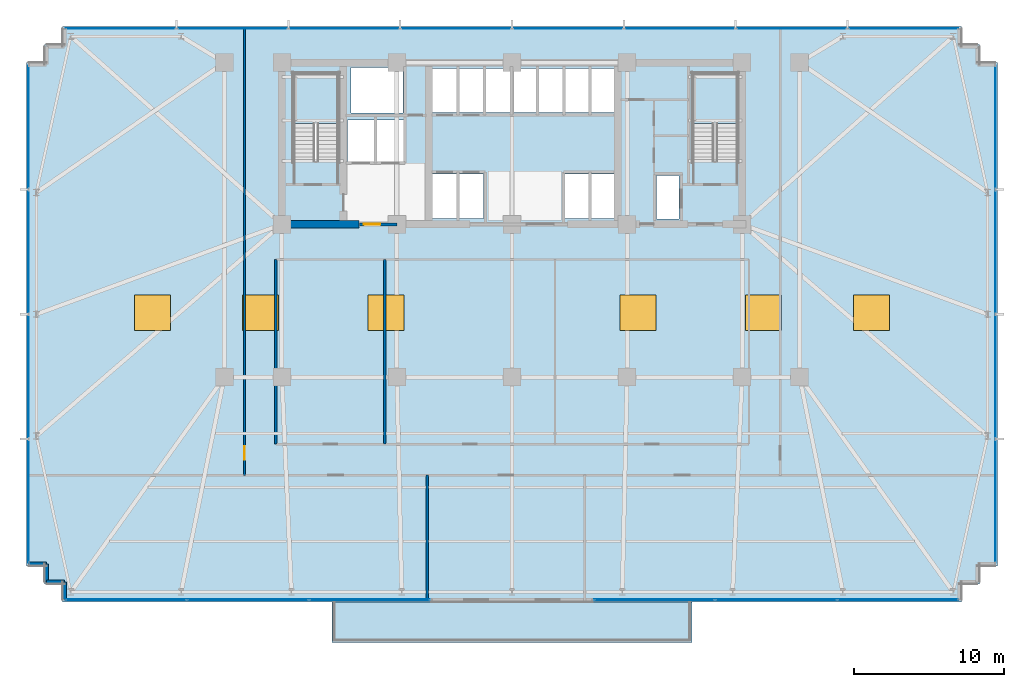
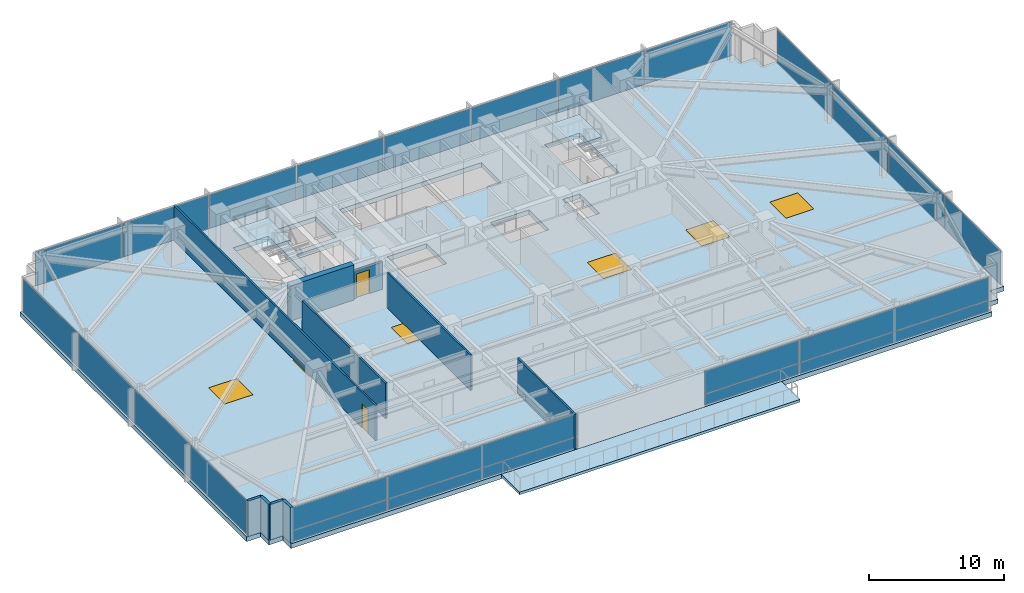
# One storey, part 23 of 31: 28 plates, 10 walls, 6 windows, 4 slabs, 2 doors, 8 openings, 7 elements without a shape of their own.
"""IFC4 building model written with IfcOpenShell, lengths in metres."""

from ifc_helpers import new_model, si_unit, direction, frame, frame_2d, origin, origin_2d, place, context, subcontext, project, spatial, polyline, rectangle, outline, extrude, material, layer, layer_set, type_object, element, fill, aggregate, save


model = new_model("IFC4")

# Units and contexts
model_context = context("Model", 3, precision=1e-05, world=origin(), true_north=direction((0.0, 1.0)))
body_context = subcontext(model_context, "Body", "Model", "MODEL_VIEW")
ifc_project = project(units=[si_unit("LENGTHUNIT", "METRE"), si_unit("AREAUNIT", "SQUARE_METRE"), si_unit("VOLUMEUNIT", "CUBIC_METRE"), si_unit("PLANEANGLEUNIT", "RADIAN"), si_unit("MASSUNIT", "GRAM", prefix="KILO")], contexts=[model_context])

# Site, building, storey
site_placement = place(None, origin())
site = spatial("IfcSite", under=ifc_project, at=site_placement, CompositionType="ELEMENT")
building_placement = place(site_placement, origin())
building = spatial("IfcBuilding", under=site, at=building_placement, Name="Yelkora Congress Tower", CompositionType="ELEMENT")
storey_placement = place(building_placement, frame((0.0, 0.0, 30.39990234375)))
storey = spatial("IfcBuildingStorey", under=building, at=storey_placement, Name="L06", CompositionType="ELEMENT", Elevation=30.39990234375)

# Curtain wall, plates
ifc_material_1 = material(Name="Anodised aluminium and insulated glass", Category="aluminium")
curtain_wall_type = type_object("IfcCurtainWallType", Name="CW-SYS-B1", PredefinedType="NOTDEFINED", material=ifc_material_1)
curtain_wall_1_placement = place(storey_placement, origin())
curtain_wall_1 = element("IfcCurtainWall", 1, at=curtain_wall_1_placement, inside=storey, type_object=curtain_wall_type, Name="L06 Unitised Curtain Wall 5", PredefinedType="NOTDEFINED")
ifc_material_2 = material(Name="Solar-control low-E glass unit B1", Category="glass")
ifc_layer_1 = layer(ifc_material_2, 0.0400390625)
ifc_layer_set_1 = layer_set([ifc_layer_1], Name="Solar-control low-E glass unit B1")
plate_type = type_object("IfcPlateType", Name="PLT-PN-B1", PredefinedType="CURTAIN_PANEL", material=ifc_layer_set_1)
plate_1_placement = place(storey_placement, frame((6.139892578125, 16.923828125, 0.06494140625), z_axis=(0.0, 0.0, 1.0), x_axis=(0.0, 1.0, 0.0)))
plate_1 = element("IfcPlate", 2, at=plate_1_placement, type_object=plate_type, Name="CW-B1 panel 1.1", PredefinedType="CURTAIN_PANEL", context=body_context, shape_type="SweptSolid", body=[
    extrude(rectangle(XDim=8.217529296875, YDim=0.0400390625, at=origin_2d()), origin(), (0.0, 0.0, 1.0), 3.050048828125),
])
plate_2_placement = place(storey_placement, frame((6.139892578125, 25.235107421875, 0.06494140625), z_axis=(0.0, 0.0, 1.0), x_axis=(0.0, 1.0, 0.0)))
plate_2 = element("IfcPlate", 3, at=plate_2_placement, type_object=plate_type, Name="CW-B1 panel 2.1", PredefinedType="CURTAIN_PANEL", context=body_context, shape_type="SweptSolid", body=[
    extrude(rectangle(XDim=8.2548828125, YDim=0.0400390625, at=origin_2d()), origin(), (0.0, 0.0, 1.0), 3.050048828125),
])
plate_3_placement = place(storey_placement, frame((6.139892578125, 33.56494140625, 0.06494140625), z_axis=(0.0, 0.0, 1.0), x_axis=(0.0, 1.0, 0.0)))
plate_3 = element("IfcPlate", 4, at=plate_3_placement, type_object=plate_type, Name="CW-B1 panel 3.1", PredefinedType="CURTAIN_PANEL", context=body_context, shape_type="SweptSolid", body=[
    extrude(rectangle(XDim=8.2548828125, YDim=0.0400390625, at=origin_2d()), origin(), (0.0, 0.0, 1.0), 3.050048828125),
])
plate_4_placement = place(storey_placement, frame((6.139892578125, 41.876220703125, 0.06494140625), z_axis=(0.0, 0.0, 1.0), x_axis=(0.0, 1.0, 0.0)))
plate_4 = element("IfcPlate", 5, at=plate_4_placement, type_object=plate_type, Name="CW-B1 panel 4.1", PredefinedType="CURTAIN_PANEL", context=body_context, shape_type="SweptSolid", body=[
    extrude(rectangle(XDim=8.217529296875, YDim=0.0400390625, at=origin_2d()), origin(), (0.0, 0.0, 1.0), 3.050048828125),
])
aggregate(curtain_wall_1, [plate_1, plate_2, plate_3, plate_4])

curtain_wall_2_placement = place(storey_placement, origin())
curtain_wall_2 = element("IfcCurtainWall", 6, at=curtain_wall_2_placement, inside=storey, type_object=curtain_wall_type, Name="L06 Unitised Curtain Wall 10", PredefinedType="NOTDEFINED")
plate_5_placement = place(storey_placement, frame((12.291259765625, 48.4599609375, 0.06494140625), z_axis=(0.0, 0.0, 1.0), x_axis=(1.0, 0.0, 0.0)))
plate_5 = element("IfcPlate", 7, at=plate_5_placement, type_object=plate_type, Name="CW-B1 panel 1.1", PredefinedType="CURTAIN_PANEL", context=body_context, shape_type="SweptSolid", body=[
    extrude(rectangle(XDim=7.3525390625, YDim=0.0400390625, at=origin_2d()), origin(), (0.0, 0.0, 1.0), 3.050048828125),
])
plate_6_placement = place(storey_placement, frame((19.737548828125, 48.4599609375, 0.06494140625), z_axis=(0.0, 0.0, 1.0), x_axis=(1.0, 0.0, 0.0)))
plate_6 = element("IfcPlate", 8, at=plate_6_placement, type_object=plate_type, Name="CW-B1 panel 2.1", PredefinedType="CURTAIN_PANEL", context=body_context, shape_type="SweptSolid", body=[
    extrude(rectangle(XDim=7.389892578125, YDim=0.0400390625, at=origin_2d()), origin(), (0.0, 0.0, 1.0), 3.050048828125),
])
plate_7_placement = place(storey_placement, frame((27.202392578125, 48.4599609375, 0.06494140625), z_axis=(0.0, 0.0, 1.0), x_axis=(1.0, 0.0, 0.0)))
plate_7 = element("IfcPlate", 9, at=plate_7_placement, type_object=plate_type, Name="CW-B1 panel 3.1", PredefinedType="CURTAIN_PANEL", context=body_context, shape_type="SweptSolid", body=[
    extrude(rectangle(XDim=7.389892578125, YDim=0.0400390625, at=origin_2d()), origin(), (0.0, 0.0, 1.0), 3.050048828125),
])
plate_8_placement = place(storey_placement, frame((34.66748046875, 48.4599609375, 0.06494140625), z_axis=(0.0, 0.0, 1.0), x_axis=(1.0, 0.0, 0.0)))
plate_8 = element("IfcPlate", 10, at=plate_8_placement, type_object=plate_type, Name="CW-B1 panel 4.1", PredefinedType="CURTAIN_PANEL", context=body_context, shape_type="SweptSolid", body=[
    extrude(rectangle(XDim=7.389892578125, YDim=0.0400390625, at=origin_2d()), origin(), (0.0, 0.0, 1.0), 3.050048828125),
])
plate_9_placement = place(storey_placement, frame((42.132568359375, 48.4599609375, 0.06494140625), z_axis=(0.0, 0.0, 1.0), x_axis=(1.0, 0.0, 0.0)))
plate_9 = element("IfcPlate", 11, at=plate_9_placement, type_object=plate_type, Name="CW-B1 panel 5.1", PredefinedType="CURTAIN_PANEL", context=body_context, shape_type="SweptSolid", body=[
    extrude(rectangle(XDim=7.389892578125, YDim=0.0400390625, at=origin_2d()), origin(), (0.0, 0.0, 1.0), 3.050048828125),
])
plate_10_placement = place(storey_placement, frame((49.597412109375, 48.4599609375, 0.06494140625), z_axis=(0.0, 0.0, 1.0), x_axis=(1.0, 0.0, 0.0)))
plate_10 = element("IfcPlate", 12, at=plate_10_placement, type_object=plate_type, Name="CW-B1 panel 6.1", PredefinedType="CURTAIN_PANEL", context=body_context, shape_type="SweptSolid", body=[
    extrude(rectangle(XDim=7.389892578125, YDim=0.0400390625, at=origin_2d()), origin(), (0.0, 0.0, 1.0), 3.050048828125),
])
plate_11_placement = place(storey_placement, frame((57.0625, 48.4599609375, 0.06494140625), z_axis=(0.0, 0.0, 1.0), x_axis=(1.0, 0.0, 0.0)))
plate_11 = element("IfcPlate", 13, at=plate_11_placement, type_object=plate_type, Name="CW-B1 panel 7.1", PredefinedType="CURTAIN_PANEL", context=body_context, shape_type="SweptSolid", body=[
    extrude(rectangle(XDim=7.389892578125, YDim=0.0400390625, at=origin_2d()), origin(), (0.0, 0.0, 1.0), 3.050048828125),
])
plate_12_placement = place(storey_placement, frame((64.5087890625, 48.4599609375, 0.06494140625), z_axis=(0.0, 0.0, 1.0), x_axis=(1.0, 0.0, 0.0)))
plate_12 = element("IfcPlate", 14, at=plate_12_placement, type_object=plate_type, Name="CW-B1 panel 8.1", PredefinedType="CURTAIN_PANEL", context=body_context, shape_type="SweptSolid", body=[
    extrude(rectangle(XDim=7.3525390625, YDim=0.0400390625, at=origin_2d()), origin(), (0.0, 0.0, 1.0), 3.050048828125),
])
aggregate(curtain_wall_2, [plate_5, plate_6, plate_7, plate_8, plate_9, plate_10, plate_11, plate_12])

curtain_wall_3_placement = place(storey_placement, origin())
curtain_wall_3 = element("IfcCurtainWall", 15, at=curtain_wall_3_placement, inside=storey, type_object=curtain_wall_type, Name="L06 Unitised Curtain Wall 15", PredefinedType="NOTDEFINED")
plate_13_placement = place(storey_placement, frame((70.659912109375, 41.876220703125, 0.06494140625), z_axis=(0.0, 0.0, 1.0), x_axis=(0.0, -1.0, 0.0)))
plate_13 = element("IfcPlate", 16, at=plate_13_placement, type_object=plate_type, Name="CW-B1 panel 1.1", PredefinedType="CURTAIN_PANEL", context=body_context, shape_type="SweptSolid", body=[
    extrude(rectangle(XDim=8.217529296875, YDim=0.0400390625, at=origin_2d()), origin(), (0.0, 0.0, 1.0), 3.050048828125),
])
plate_14_placement = place(storey_placement, frame((70.659912109375, 33.56494140625, 0.06494140625), z_axis=(0.0, 0.0, 1.0), x_axis=(0.0, -1.0, 0.0)))
plate_14 = element("IfcPlate", 17, at=plate_14_placement, type_object=plate_type, Name="CW-B1 panel 2.1", PredefinedType="CURTAIN_PANEL", context=body_context, shape_type="SweptSolid", body=[
    extrude(rectangle(XDim=8.2548828125, YDim=0.0400390625, at=origin_2d()), origin(), (0.0, 0.0, 1.0), 3.050048828125),
])
plate_15_placement = place(storey_placement, frame((70.659912109375, 25.235107421875, 0.06494140625), z_axis=(0.0, 0.0, 1.0), x_axis=(0.0, -1.0, 0.0)))
plate_15 = element("IfcPlate", 18, at=plate_15_placement, type_object=plate_type, Name="CW-B1 panel 3.1", PredefinedType="CURTAIN_PANEL", context=body_context, shape_type="SweptSolid", body=[
    extrude(rectangle(XDim=8.2548828125, YDim=0.0400390625, at=origin_2d()), origin(), (0.0, 0.0, 1.0), 3.050048828125),
])
plate_16_placement = place(storey_placement, frame((70.659912109375, 16.923828125, 0.06494140625), z_axis=(0.0, 0.0, 1.0), x_axis=(0.0, -1.0, 0.0)))
plate_16 = element("IfcPlate", 19, at=plate_16_placement, type_object=plate_type, Name="CW-B1 panel 4.1", PredefinedType="CURTAIN_PANEL", context=body_context, shape_type="SweptSolid", body=[
    extrude(rectangle(XDim=8.217529296875, YDim=0.0400390625, at=origin_2d()), origin(), (0.0, 0.0, 1.0), 3.050048828125),
])
aggregate(curtain_wall_3, [plate_13, plate_14, plate_15, plate_16])

curtain_wall_4_placement = place(storey_placement, origin())
curtain_wall_4 = element("IfcCurtainWall", 20, at=curtain_wall_4_placement, inside=storey, type_object=curtain_wall_type, Name="L06 South-West Curtain Wall", PredefinedType="NOTDEFINED")
plate_17_placement = place(storey_placement, frame((12.635498046875, 10.340087890625, 0.06494140625), z_axis=(0.0, 0.0, 1.0), x_axis=(1.0, 0.0, 0.0)))
plate_17 = element("IfcPlate", 21, at=plate_17_placement, type_object=plate_type, Name="CW-B1 panel 1.1", PredefinedType="CURTAIN_PANEL", context=body_context, shape_type="SweptSolid", body=[
    extrude(rectangle(XDim=8.040771484375, YDim=0.0400390625, at=origin_2d()), origin(), (0.0, 0.0, 1.0), 0.952392578125),
])
plate_18_placement = place(storey_placement, frame((12.635498046875, 10.340087890625, 1.08251953125), z_axis=(0.0, 0.0, 1.0), x_axis=(1.0, 0.0, 0.0)))
plate_18 = element("IfcPlate", 22, at=plate_18_placement, type_object=plate_type, Name="CW-B1 panel 1.2", PredefinedType="CURTAIN_PANEL", context=body_context, shape_type="SweptSolid", body=[
    extrude(rectangle(XDim=8.040771484375, YDim=0.0400390625, at=origin_2d()), origin(), (0.0, 0.0, 1.0), 2.032470703125),
])
plate_19_placement = place(storey_placement, frame((20.77001953125, 10.340087890625, 0.06494140625), z_axis=(0.0, 0.0, 1.0), x_axis=(1.0, 0.0, 0.0)))
plate_19 = element("IfcPlate", 23, at=plate_19_placement, type_object=plate_type, Name="CW-B1 panel 2.1", PredefinedType="CURTAIN_PANEL", context=body_context, shape_type="SweptSolid", body=[
    extrude(rectangle(XDim=8.078369140625, YDim=0.0400390625, at=origin_2d()), origin(), (0.0, 0.0, 1.0), 0.952392578125),
])
plate_20_placement = place(storey_placement, frame((20.77001953125, 10.340087890625, 1.08251953125), z_axis=(0.0, 0.0, 1.0), x_axis=(1.0, 0.0, 0.0)))
plate_20 = element("IfcPlate", 24, at=plate_20_placement, type_object=plate_type, Name="CW-B1 panel 2.2", PredefinedType="CURTAIN_PANEL", context=body_context, shape_type="SweptSolid", body=[
    extrude(rectangle(XDim=8.078369140625, YDim=0.0400390625, at=origin_2d()), origin(), (0.0, 0.0, 1.0), 2.032470703125),
])
plate_21_placement = place(storey_placement, frame((28.904541015625, 10.340087890625, 0.06494140625), z_axis=(0.0, 0.0, 1.0), x_axis=(1.0, 0.0, 0.0)))
plate_21 = element("IfcPlate", 25, at=plate_21_placement, type_object=plate_type, Name="CW-B1 panel 3.1", PredefinedType="CURTAIN_PANEL", context=body_context, shape_type="SweptSolid", body=[
    extrude(rectangle(XDim=8.040771484375, YDim=0.0400390625, at=origin_2d()), origin(), (0.0, 0.0, 1.0), 0.952392578125),
])
plate_22_placement = place(storey_placement, frame((28.904541015625, 10.340087890625, 1.08251953125), z_axis=(0.0, 0.0, 1.0), x_axis=(1.0, 0.0, 0.0)))
plate_22 = element("IfcPlate", 26, at=plate_22_placement, type_object=plate_type, Name="CW-B1 panel 3.2", PredefinedType="CURTAIN_PANEL", context=body_context, shape_type="SweptSolid", body=[
    extrude(rectangle(XDim=8.040771484375, YDim=0.0400390625, at=origin_2d()), origin(), (0.0, 0.0, 1.0), 2.032470703125),
])
aggregate(curtain_wall_4, [plate_17, plate_18, plate_19, plate_20, plate_21, plate_22])

curtain_wall_5_placement = place(storey_placement, origin())
curtain_wall_5 = element("IfcCurtainWall", 27, at=curtain_wall_5_placement, inside=storey, type_object=curtain_wall_type, Name="L06 South-East Curtain Wall", PredefinedType="NOTDEFINED")
plate_23_placement = place(storey_placement, frame((47.8955078125, 10.340087890625, 0.06494140625), z_axis=(0.0, 0.0, 1.0), x_axis=(1.0, 0.0, 0.0)))
plate_23 = element("IfcPlate", 28, at=plate_23_placement, type_object=plate_type, Name="CW-B1 panel 1.1", PredefinedType="CURTAIN_PANEL", context=body_context, shape_type="SweptSolid", body=[
    extrude(rectangle(XDim=8.040771484375, YDim=0.0400390625, at=origin_2d()), origin(), (0.0, 0.0, 1.0), 0.952392578125),
])
plate_24_placement = place(storey_placement, frame((47.8955078125, 10.340087890625, 1.08251953125), z_axis=(0.0, 0.0, 1.0), x_axis=(1.0, 0.0, 0.0)))
plate_24 = element("IfcPlate", 29, at=plate_24_placement, type_object=plate_type, Name="CW-B1 panel 1.2", PredefinedType="CURTAIN_PANEL", context=body_context, shape_type="SweptSolid", body=[
    extrude(rectangle(XDim=8.040771484375, YDim=0.0400390625, at=origin_2d()), origin(), (0.0, 0.0, 1.0), 2.032470703125),
])
plate_25_placement = place(storey_placement, frame((56.030029296875, 10.340087890625, 0.06494140625), z_axis=(0.0, 0.0, 1.0), x_axis=(1.0, 0.0, 0.0)))
plate_25 = element("IfcPlate", 30, at=plate_25_placement, type_object=plate_type, Name="CW-B1 panel 2.1", PredefinedType="CURTAIN_PANEL", context=body_context, shape_type="SweptSolid", body=[
    extrude(rectangle(XDim=8.078369140625, YDim=0.0400390625, at=origin_2d()), origin(), (0.0, 0.0, 1.0), 0.952392578125),
])
plate_26_placement = place(storey_placement, frame((56.030029296875, 10.340087890625, 1.08251953125), z_axis=(0.0, 0.0, 1.0), x_axis=(1.0, 0.0, 0.0)))
plate_26 = element("IfcPlate", 31, at=plate_26_placement, type_object=plate_type, Name="CW-B1 panel 2.2", PredefinedType="CURTAIN_PANEL", context=body_context, shape_type="SweptSolid", body=[
    extrude(rectangle(XDim=8.078369140625, YDim=0.0400390625, at=origin_2d()), origin(), (0.0, 0.0, 1.0), 2.032470703125),
])
plate_27_placement = place(storey_placement, frame((64.16455078125, 10.340087890625, 0.06494140625), z_axis=(0.0, 0.0, 1.0), x_axis=(1.0, 0.0, 0.0)))
plate_27 = element("IfcPlate", 32, at=plate_27_placement, type_object=plate_type, Name="CW-B1 panel 3.1", PredefinedType="CURTAIN_PANEL", context=body_context, shape_type="SweptSolid", body=[
    extrude(rectangle(XDim=8.040771484375, YDim=0.0400390625, at=origin_2d()), origin(), (0.0, 0.0, 1.0), 0.952392578125),
])
plate_28_placement = place(storey_placement, frame((64.16455078125, 10.340087890625, 1.08251953125), z_axis=(0.0, 0.0, 1.0), x_axis=(1.0, 0.0, 0.0)))
plate_28 = element("IfcPlate", 33, at=plate_28_placement, type_object=plate_type, Name="CW-B1 panel 3.2", PredefinedType="CURTAIN_PANEL", context=body_context, shape_type="SweptSolid", body=[
    extrude(rectangle(XDim=8.040771484375, YDim=0.0400390625, at=origin_2d()), origin(), (0.0, 0.0, 1.0), 2.032470703125),
])
aggregate(curtain_wall_5, [plate_23, plate_24, plate_25, plate_26, plate_27, plate_28])

# Stair, slab
ifc_material_3 = material(Name="Concrete C40/50", Category="concrete")
stair_type = type_object("IfcStairType", Name="STAIR-HT-1420-R20-170", PredefinedType="HALF_TURN_STAIR", material=ifc_material_3)
stair_1_placement = place(storey_placement, origin())
stair_1 = element("IfcStair", 34, at=stair_1_placement, inside=storey, type_object=stair_type, Name="West Core Protected Exit Stair ST-01 (L06)", PredefinedType="HALF_TURN_STAIR")
ifc_layer_2 = layer(ifc_material_3, 0.219970703125)
ifc_layer_set_2 = layer_set([ifc_layer_2], Name="Concrete C40/50")
slab_type_1 = type_object("IfcSlabType", Name="SLAB-LANDING-220", PredefinedType="LANDING", material=ifc_layer_set_2)
slab_1_placement = place(storey_placement, frame((0.0, 0.0, 1.47998046875)))
slab_1 = element("IfcSlab", 35, at=slab_1_placement, type_object=slab_type_1, Name="ST-01 L06 Half Landing 1", PredefinedType="LANDING", context=body_context, shape_type="SweptSolid", body=[
    extrude(outline(polyline([(26.820068359375, 42.1201171875), (26.820068359375, 45.469970703125), (23.820068359375, 45.469970703125), (23.820068359375, 42.1201171875), (26.820068359375, 42.1201171875)])), origin(), (0.0, 0.0, 1.0), 0.22021484375),
])
aggregate(stair_1, [slab_1])

stair_2_placement = place(storey_placement, origin())
stair_2 = element("IfcStair", 36, at=stair_2_placement, inside=storey, type_object=stair_type, Name="East Core Protected Exit Stair ST-02 (L06)", PredefinedType="HALF_TURN_STAIR")
slab_2_placement = place(storey_placement, frame((0.0, 0.0, 1.47998046875)))
slab_2 = element("IfcSlab", 37, at=slab_2_placement, type_object=slab_type_1, Name="ST-02 L06 Half Landing 1", PredefinedType="LANDING", context=body_context, shape_type="SweptSolid", body=[
    extrude(outline(polyline([(53.4599609375, 42.1201171875), (53.4599609375, 45.469970703125), (50.4599609375, 45.469970703125), (50.4599609375, 42.1201171875), (53.4599609375, 42.1201171875)])), origin(), (0.0, 0.0, 1.0), 0.22021484375),
])
aggregate(stair_2, [slab_2])

# Slab
ifc_layer_3 = layer(ifc_material_3, 0.239990234375)
ifc_layer_set_3 = layer_set([ifc_layer_3], Name="Concrete C40/50")
slab_type_2 = type_object("IfcSlabType", Name="SLAB-TER-240", PredefinedType="FLOOR", material=ifc_layer_set_3)
slab_3_placement = place(storey_placement, frame((0.0, 0.0, -0.239990234375)))
element("IfcSlab", 38, at=slab_3_placement, inside=storey, type_object=slab_type_2, Name="L06 Planted Sky Garden Terrace Slab", PredefinedType="FLOOR", context=body_context, shape_type="SweptSolid", body=[
    extrude(outline(polyline([(26.39990234375, 7.5), (26.39990234375, 10.199951171875), (50.39990234375, 10.199951171875), (50.39990234375, 7.5), (26.39990234375, 7.5)])), origin(), (0.0, 0.0, 1.0), 0.239990234375),
])

# Slab, openings, windows
ifc_material_4 = material(Name="Concrete C60/75", Category="concrete")
ifc_layer_4 = layer(ifc_material_4, 0.419921875)
ifc_layer_set_4 = layer_set([ifc_layer_4], Name="Concrete C60/75")
slab_type_3 = type_object("IfcSlabType", Name="SLAB-XFER-420", PredefinedType="FLOOR", material=ifc_layer_set_4)
slab_4_placement = place(storey_placement, frame((0.0, 0.0, -0.419921875)))
slab_4 = element("IfcSlab", 39, at=slab_4_placement, inside=storey, type_object=slab_type_3, Name="L06 Structural Floor Slab", PredefinedType="FLOOR", context=body_context, shape_type="SweptSolid", body=[
    extrude(outline(polyline([(8.39990234375, 10.199951171875), (68.39990234375, 10.199951171875), (68.39990234375, 11.39990234375), (69.60009765625, 11.39990234375), (69.60009765625, 12.60009765625), (70.800048828125, 12.60009765625), (70.800048828125, 46.199951171875), (69.60009765625, 46.199951171875), (69.60009765625, 47.39990234375), (68.39990234375, 47.39990234375), (68.39990234375, 48.60009765625), (8.39990234375, 48.60009765625), (8.39990234375, 47.39990234375), (7.199951171875, 47.39990234375), (7.199951171875, 46.199951171875), (6.0, 46.199951171875), (6.0, 12.60009765625), (7.199951171875, 12.60009765625), (7.199951171875, 11.39990234375), (8.39990234375, 11.39990234375), (8.39990234375, 10.199951171875)]), holes=[polyline([(23.820068359375, 39.6298828125), (26.820068359375, 39.6298828125), (26.820068359375, 45.469970703125), (23.820068359375, 45.469970703125), (23.820068359375, 39.6298828125)]), polyline([(50.4599609375, 39.6298828125), (53.4599609375, 39.6298828125), (53.4599609375, 45.469970703125), (50.4599609375, 45.469970703125), (50.4599609375, 39.6298828125)]), polyline([(48.050048828125, 35.75), (49.550048828125, 35.75), (49.550048828125, 38.64990234375), (48.050048828125, 38.64990234375), (48.050048828125, 35.75)]), polyline([(41.949951171875, 35.800048828125), (45.25, 35.800048828125), (45.25, 38.75), (41.949951171875, 38.75), (41.949951171875, 35.800048828125)]), polyline([(33.10009765625, 42.85009765625), (45.25, 42.85009765625), (45.25, 45.800048828125), (33.10009765625, 45.800048828125), (33.10009765625, 42.85009765625)]), polyline([(33.10009765625, 35.800048828125), (36.5, 35.800048828125), (36.5, 38.75), (33.10009765625, 38.75), (33.10009765625, 35.800048828125)]), polyline([(27.419921875, 39.60009765625), (31.179931640625, 39.60009765625), (31.179931640625, 42.35009765625), (27.419921875, 42.35009765625), (27.419921875, 39.60009765625)]), polyline([(27.64990234375, 42.820068359375), (31.1201171875, 42.820068359375), (31.1201171875, 45.8798828125), (27.64990234375, 45.8798828125), (27.64990234375, 42.820068359375)])]), origin(), (0.0, 0.0, 1.0), 0.419921875),
])
opening_1_placement = place(slab_4_placement, frame((14.39990234375, 29.5, 0.0)))
opening_1 = element("IfcOpeningElement", 40, at=opening_1_placement, cuts=slab_4, Name="Opening SK-24", PredefinedType="OPENING", context=body_context, shape_type="SweptSolid", body=[
    extrude(rectangle(XDim=2.39990234375, YDim=2.39990234375, at=origin_2d()), origin(), (0.0, 0.0, 1.0), 0.419921875),
])
opening_2_placement = place(slab_4_placement, frame((21.60009765625, 29.5, 0.0)))
opening_2 = element("IfcOpeningElement", 41, at=opening_2_placement, cuts=slab_4, Name="Opening SK-24", PredefinedType="OPENING", context=body_context, shape_type="SweptSolid", body=[
    extrude(rectangle(XDim=2.39990234375, YDim=2.39990234375, at=origin_2d()), origin(), (0.0, 0.0, 1.0), 0.419921875),
])
opening_3_placement = place(slab_4_placement, frame((30.0, 29.5, 0.0)))
opening_3 = element("IfcOpeningElement", 42, at=opening_3_placement, cuts=slab_4, Name="Opening SK-24", PredefinedType="OPENING", context=body_context, shape_type="SweptSolid", body=[
    extrude(rectangle(XDim=2.39990234375, YDim=2.39990234375, at=origin_2d()), origin(), (0.0, 0.0, 1.0), 0.419921875),
])
opening_4_placement = place(slab_4_placement, frame((46.800048828125, 29.5, 0.0)))
opening_4 = element("IfcOpeningElement", 43, at=opening_4_placement, cuts=slab_4, Name="Opening SK-24", PredefinedType="OPENING", context=body_context, shape_type="SweptSolid", body=[
    extrude(rectangle(XDim=2.39990234375, YDim=2.39990234375, at=origin_2d()), origin(), (0.0, 0.0, 1.0), 0.419921875),
])
opening_5_placement = place(slab_4_placement, frame((55.199951171875, 29.5, 0.0)))
opening_5 = element("IfcOpeningElement", 44, at=opening_5_placement, cuts=slab_4, Name="Opening SK-24", PredefinedType="OPENING", context=body_context, shape_type="SweptSolid", body=[
    extrude(rectangle(XDim=2.39990234375, YDim=2.39990234375, at=origin_2d()), origin(), (0.0, 0.0, 1.0), 0.419921875),
])
opening_6_placement = place(slab_4_placement, frame((62.39990234375, 29.5, 0.0)))
opening_6 = element("IfcOpeningElement", 45, at=opening_6_placement, cuts=slab_4, Name="Opening SK-24", PredefinedType="OPENING", context=body_context, shape_type="SweptSolid", body=[
    extrude(rectangle(XDim=2.39990234375, YDim=2.39990234375, at=origin_2d()), origin(), (0.0, 0.0, 1.0), 0.419921875),
])
ifc_material_5 = material(Name="Laminated safety insulated roof glazing", Category="glass")
window_type = type_object("IfcWindowType", Name="SKYLIGHT-POD-2400x2400", PartitioningType="SINGLE_PANEL", PredefinedType="SKYLIGHT", material=ifc_material_5)
window_1_placement = place(opening_1_placement, frame((0.0, 0.0, 0.369873046875)))
window_1 = element("IfcWindow", 46, at=window_1_placement, inside=storey, type_object=window_type, Name="Podium Concourse Daylight Skylight 1", OverallHeight=2.39990234375, OverallWidth=2.39990234375, PartitioningType="SINGLE_PANEL", PredefinedType="SKYLIGHT", context=body_context, shape_type="SweptSolid", body=[
    extrude(rectangle(XDim=2.39990234375, YDim=2.39990234375, at=origin_2d()), origin(), (0.0, 0.0, 1.0), 0.050048828125),
])
fill(opening_1, window_1)
window_2_placement = place(opening_2_placement, frame((0.0, 0.0, 0.369873046875)))
window_2 = element("IfcWindow", 47, at=window_2_placement, inside=storey, type_object=window_type, Name="Podium Concourse Daylight Skylight 2", OverallHeight=2.39990234375, OverallWidth=2.39990234375, PartitioningType="SINGLE_PANEL", PredefinedType="SKYLIGHT", context=body_context, shape_type="SweptSolid", body=[
    extrude(rectangle(XDim=2.39990234375, YDim=2.39990234375, at=origin_2d()), origin(), (0.0, 0.0, 1.0), 0.050048828125),
])
fill(opening_2, window_2)
window_3_placement = place(opening_3_placement, frame((0.0, 0.0, 0.369873046875)))
window_3 = element("IfcWindow", 48, at=window_3_placement, inside=storey, type_object=window_type, Name="Podium Concourse Daylight Skylight 3", OverallHeight=2.39990234375, OverallWidth=2.39990234375, PartitioningType="SINGLE_PANEL", PredefinedType="SKYLIGHT", context=body_context, shape_type="SweptSolid", body=[
    extrude(rectangle(XDim=2.39990234375, YDim=2.39990234375, at=origin_2d()), origin(), (0.0, 0.0, 1.0), 0.050048828125),
])
fill(opening_3, window_3)
window_4_placement = place(opening_4_placement, frame((0.0, 0.0, 0.369873046875)))
window_4 = element("IfcWindow", 49, at=window_4_placement, inside=storey, type_object=window_type, Name="Podium Concourse Daylight Skylight 4", OverallHeight=2.39990234375, OverallWidth=2.39990234375, PartitioningType="SINGLE_PANEL", PredefinedType="SKYLIGHT", context=body_context, shape_type="SweptSolid", body=[
    extrude(rectangle(XDim=2.39990234375, YDim=2.39990234375, at=origin_2d()), origin(), (0.0, 0.0, 1.0), 0.050048828125),
])
fill(opening_4, window_4)
window_5_placement = place(opening_5_placement, frame((0.0, 0.0, 0.369873046875)))
window_5 = element("IfcWindow", 50, at=window_5_placement, inside=storey, type_object=window_type, Name="Podium Concourse Daylight Skylight 5", OverallHeight=2.39990234375, OverallWidth=2.39990234375, PartitioningType="SINGLE_PANEL", PredefinedType="SKYLIGHT", context=body_context, shape_type="SweptSolid", body=[
    extrude(rectangle(XDim=2.39990234375, YDim=2.39990234375, at=origin_2d()), origin(), (0.0, 0.0, 1.0), 0.050048828125),
])
fill(opening_5, window_5)
window_6_placement = place(opening_6_placement, frame((0.0, 0.0, 0.369873046875)))
window_6 = element("IfcWindow", 51, at=window_6_placement, inside=storey, type_object=window_type, Name="Podium Concourse Daylight Skylight 6", OverallHeight=2.39990234375, OverallWidth=2.39990234375, PartitioningType="SINGLE_PANEL", PredefinedType="SKYLIGHT", context=body_context, shape_type="SweptSolid", body=[
    extrude(rectangle(XDim=2.39990234375, YDim=2.39990234375, at=origin_2d()), origin(), (0.0, 0.0, 1.0), 0.050048828125),
])
fill(opening_6, window_6)

# Walls
ifc_layer_5 = layer(ifc_material_4, 0.5)
ifc_layer_set_5 = layer_set([ifc_layer_5], Name="Concrete C60/75")
wall_type_1 = type_object("IfcWallType", Name="WALL-CORE-INT-500", PredefinedType="SHEAR", material=ifc_layer_set_5)
wall_1_placement = place(storey_placement, frame((22.7900390625, 35.39990234375, 0.0), z_axis=(0.0, 0.0, 1.0), x_axis=(1.0, 0.0, 0.0)))
element("IfcWall", 52, at=wall_1_placement, inside=storey, type_object=wall_type_1, Name="L06 Rear Core South-West Shear Wall", PredefinedType="SHEAR", context=body_context, shape_type="SweptSolid", body=[
    extrude(rectangle(XDim=5.409912109375, YDim=0.5, at=frame_2d((2.705078125, 0.0))), origin(), (0.0, 0.0, 1.0), 3.18017578125),
])
ifc_layer_6 = layer(ifc_material_3, 0.239990234375)
ifc_layer_set_6 = layer_set([ifc_layer_6], Name="Concrete C40/50")
wall_type_2 = type_object("IfcWallType", Name="WALL-EXT-LIMESTONE-240", PredefinedType="SOLIDWALL", material=ifc_layer_set_6)
for number, where, z_axis, x_axis, name in (
    (53, (8.5400390625, 10.340087890625, 0.0), (0.0, 0.0, 1.0), (0.0, 1.0, 0.0), "L06 Serrated Corner Limestone Pier 1"),
    (54, (8.5400390625, 11.5400390625, 0.0), (0.0, 0.0, 1.0), (-1.0, 0.0, 0.0), "L06 Serrated Corner Limestone Pier 2"),
    (55, (7.340087890625, 11.5400390625, 0.0), (0.0, 0.0, 1.0), (0.0, 1.0, 0.0), "L06 Serrated Corner Limestone Pier 3"),
):
    element("IfcWall", number, at=place(storey_placement, frame(where, z_axis=z_axis, x_axis=x_axis)), inside=storey, type_object=wall_type_2, Name=name, PredefinedType="SOLIDWALL", context=body_context, shape_type="SweptSolid", body=[
        extrude(rectangle(XDim=1.199951171875, YDim=0.239990234375, at=frame_2d((0.60009765625, 0.0))), origin(), (0.0, 0.0, 1.0), 3.18017578125),
    ])
wall_2_placement = place(storey_placement, frame((7.340087890625, 12.739990234375, 0.0), z_axis=(0.0, 0.0, 1.0), x_axis=(-1.0, 0.0, 0.0)))
element("IfcWall", 56, at=wall_2_placement, inside=storey, type_object=wall_type_2, Name="L06 Serrated Corner Limestone Pier 4", PredefinedType="SOLIDWALL", context=body_context, shape_type="SweptSolid", body=[
    extrude(rectangle(XDim=1.2001953125, YDim=0.239990234375, at=frame_2d((0.60009765625, 0.0))), origin(), (0.0, 0.0, 1.0), 3.18017578125),
])
ifc_material_6 = material(Name="Acoustic metal-stud gypsum partition", Category="gypsum")
ifc_layer_7 = layer(ifc_material_6, 0.14990234375)
ifc_layer_set_7 = layer_set([ifc_layer_7], Name="Acoustic metal-stud gypsum partition")
wall_type_3 = type_object("IfcWallType", Name="WALL-INT-150-NR", PredefinedType="PARTITIONING", material=ifc_layer_set_7)
wall_3_placement = place(storey_placement, frame((32.743896484375, 10.280029296875, 0.0), z_axis=(0.0, 0.0, 1.0), x_axis=(0.0, 1.0, 0.0)))
element("IfcWall", 57, at=wall_3_placement, inside=storey, type_object=wall_type_3, Name="L06 Partition Wall 31", PredefinedType="PARTITIONING", context=body_context, shape_type="SweptSolid", body=[
    extrude(rectangle(XDim=8.389892578125, YDim=0.14990234375, at=frame_2d((4.19482421875, 0.0))), origin(), (0.0, 0.0, 1.0), 3.18017578125),
])

# Wall, opening, door
wall_4_placement = place(storey_placement, frame((20.550048828125, 18.64990234375, 0.0), z_axis=(0.0, 0.0, 1.0), x_axis=(0.0, 1.0, 0.0)))
wall_4 = element("IfcWall", 58, at=wall_4_placement, inside=storey, type_object=wall_type_3, Name="L06 Partition Wall 34", PredefinedType="PARTITIONING", context=body_context, shape_type="SweptSolid", body=[
    extrude(rectangle(XDim=29.8701171875, YDim=0.14990234375, at=frame_2d((14.93505859375, 0.0))), origin(), (0.0, 0.0, 1.0), 3.18017578125),
])
opening_7_placement = place(wall_4_placement, frame((1.030029296875, 0.0, 0.0)))
opening_7 = element("IfcOpeningElement", 59, at=opening_7_placement, cuts=wall_4, Name="Opening DR-090N", PredefinedType="OPENING", context=body_context, shape_type="SweptSolid", body=[
    extrude(rectangle(XDim=0.89990234375, YDim=2.14990234375, at=frame_2d((0.449951171875, 1.074951171875))), frame((0.0, 0.0849609375, 0.0), z_axis=(0.0, -1.0, 0.0), x_axis=(1.0, 0.0, 0.0)), (0.0, 0.0, 1.0), 0.169921875),
])
ifc_material_7 = material(Name="Moisture-resistant laminate door leaf", Category="wood")
door_type_1 = type_object("IfcDoorType", Name="DOOR-INT-900", OperationType="NOTDEFINED", PredefinedType="DOOR", material=ifc_material_7)
door_1_placement = place(opening_7_placement, origin())
door_1 = element("IfcDoor", 60, at=door_1_placement, inside=storey, type_object=door_type_1, Name="L06 W Wing Door", OperationType="SINGLE_SWING_RIGHT", OverallHeight=2.14990234375, OverallWidth=0.89990234375, PredefinedType="DOOR", context=body_context, shape_type="SweptSolid", body=[
    extrude(rectangle(XDim=0.89990234375, YDim=2.14990234375, at=frame_2d((0.449951171875, 1.074951171875))), frame((0.0, 0.02490234375, 0.0), z_axis=(0.0, -1.0, 0.0), x_axis=(1.0, 0.0, 0.0)), (0.0, 0.0, 1.0), 0.050048828125),
])
fill(opening_7, door_1)

# Walls
for number, where, z_axis, x_axis, name in (
    (61, (22.6298828125, 20.72998046875, 0.0), (0.0, 0.0, 1.0), (0.0, 1.0, 0.0), "L06 Partition Wall 36"),
    (62, (29.90087890625, 20.72998046875, 0.0), (0.0, 0.0, 1.0), (0.0, 1.0, 0.0), "L06 Partition Wall 39"),
):
    element("IfcWall", number, at=place(storey_placement, frame(where, z_axis=z_axis, x_axis=x_axis)), inside=storey, type_object=wall_type_3, Name=name, PredefinedType="PARTITIONING", context=body_context, shape_type="SweptSolid", body=[
        extrude(rectangle(XDim=12.320068359375, YDim=0.14990234375, at=frame_2d((6.16015625, 0.0))), origin(), (0.0, 0.0, 1.0), 3.18017578125),
    ])

# Wall, opening, door
ifc_material_8 = material(Name="Autoclaved aerated concrete blockwork", Category="masonry")
ifc_layer_8 = layer(ifc_material_8, 0.199951171875)
ifc_layer_set_8 = layer_set([ifc_layer_8], Name="Autoclaved aerated concrete blockwork")
wall_type_4 = type_object("IfcWallType", Name="WALL-INT-200-R120", PredefinedType="PARTITIONING", material=ifc_layer_set_8)
wall_5_placement = place(storey_placement, frame((28.219970703125, 35.39990234375, 0.0), z_axis=(0.0, 0.0, 1.0), x_axis=(1.0, 0.0, 0.0)))
wall_5 = element("IfcWall", 63, at=wall_5_placement, inside=storey, type_object=wall_type_4, Name="L06 Firefighting Lobby South Wall", PredefinedType="PARTITIONING", context=body_context, shape_type="SweptSolid", body=[
    extrude(rectangle(XDim=2.5, YDim=0.199951171875, at=frame_2d((1.25, 0.0))), origin(), (0.0, 0.0, 1.0), 2.47509765625),
])
opening_8_placement = place(wall_5_placement, frame((0.300048828125, 0.0, 0.0)))
opening_8 = element("IfcOpeningElement", 64, at=opening_8_placement, cuts=wall_5, Name="Opening DR-110F9", PredefinedType="OPENING", context=body_context, shape_type="SweptSolid", body=[
    extrude(rectangle(XDim=1.10009765625, YDim=2.14990234375, at=frame_2d((0.550048828125, 1.074951171875))), frame((0.0, 0.10986328125, 0.0), z_axis=(0.0, -1.0, 0.0), x_axis=(1.0, 0.0, 0.0)), (0.0, 0.0, 1.0), 0.219970703125),
])
ifc_material_9 = material(Name="Galvanised steel fire door leaf", Category="steel")
door_type_2 = type_object("IfcDoorType", Name="DOOR-FD90-1100", OperationType="NOTDEFINED", PredefinedType="DOOR", material=ifc_material_9)
door_2_placement = place(opening_8_placement, origin())
door_2 = element("IfcDoor", 65, at=door_2_placement, inside=storey, type_object=door_type_2, Name="L06 Firefighting Lobby Corridor Door", OperationType="SINGLE_SWING_RIGHT", OverallHeight=2.14990234375, OverallWidth=1.10009765625, PredefinedType="DOOR", context=body_context, shape_type="SweptSolid", body=[
    extrude(rectangle(XDim=1.10009765625, YDim=2.14990234375, at=frame_2d((0.550048828125, 1.074951171875))), frame((0.0, 0.02490234375, 0.0), z_axis=(0.0, -1.0, 0.0), x_axis=(1.0, 0.0, 0.0)), (0.0, 0.0, 1.0), 0.050048828125),
])
fill(opening_8, door_2)

save(model, "model.ifc")
